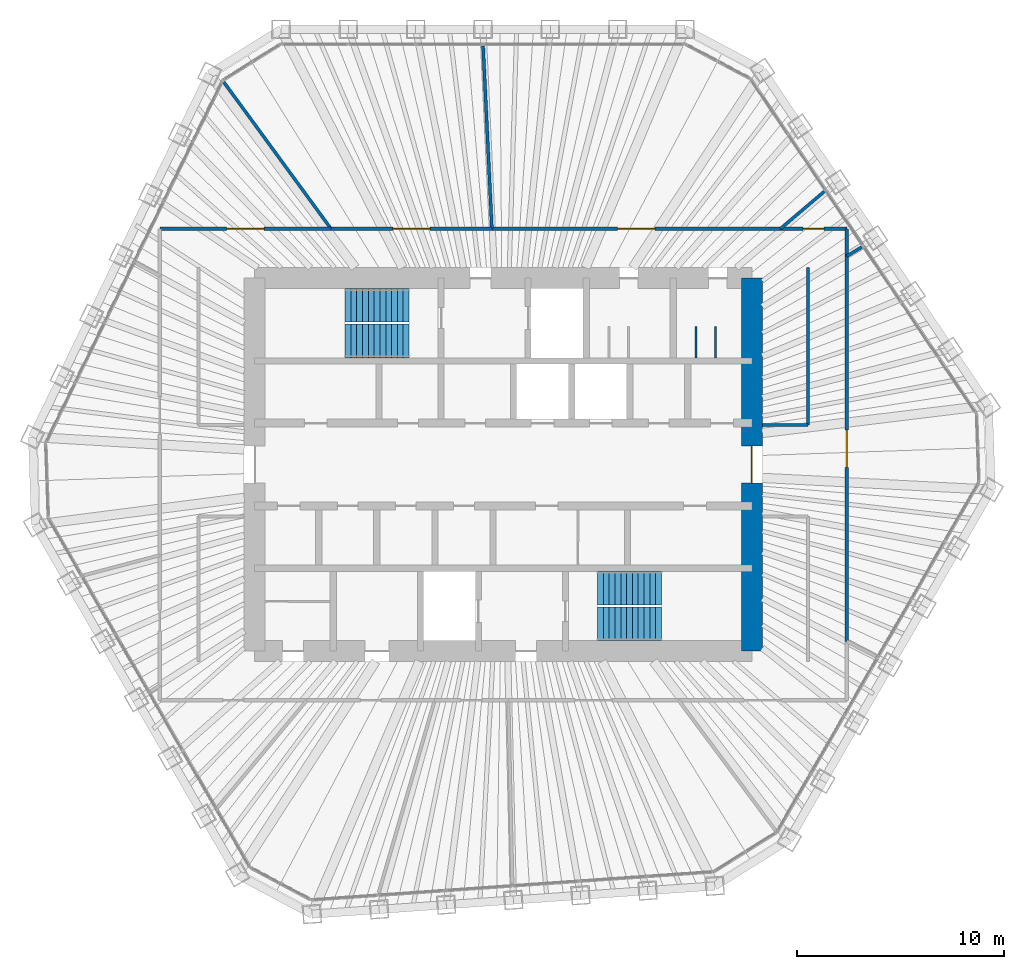
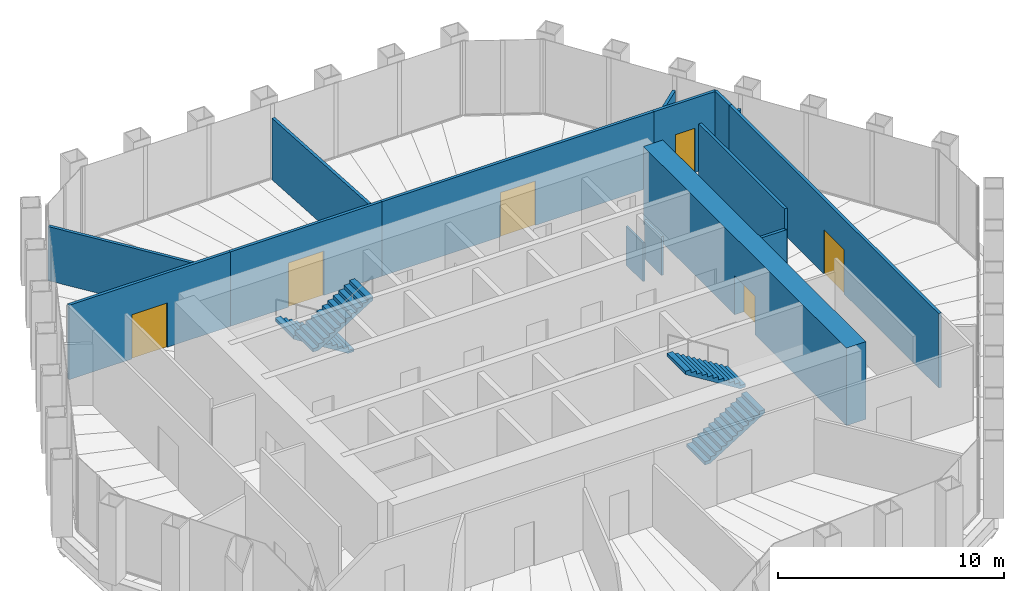
# One storey, part 13 of 14: 15 walls, 6 doors, 4 stair flights, 6 openings, 2 elements without a shape of their own.
"""IFC4 building model written with IfcOpenShell, lengths in metres."""

from ifc_helpers import new_model, si_unit, direction, frame, frame_2d, origin, place, context, subcontext, project, spatial, polyline, rectangle, outline, extrude, material, layer, layer_set, type_object, element, fill, aggregate, save


model = new_model("IFC4")

# Units and contexts
model_context = context("Model", 3, precision=1e-05, world=origin(), true_north=direction((0.0, 1.0)))
body_context = subcontext(model_context, "Body", "Model", "MODEL_VIEW")
ifc_project = project(units=[si_unit("LENGTHUNIT", "METRE"), si_unit("AREAUNIT", "SQUARE_METRE"), si_unit("VOLUMEUNIT", "CUBIC_METRE"), si_unit("PLANEANGLEUNIT", "RADIAN"), si_unit("MASSUNIT", "GRAM", prefix="KILO")], contexts=[model_context])

# Site, building, storey
site_placement = place(None, origin())
site = spatial("IfcSite", under=ifc_project, at=site_placement, CompositionType="ELEMENT")
building_placement = place(site_placement, origin())
building = spatial("IfcBuilding", under=site, at=building_placement, Name="Qingtian Harvest Tower", CompositionType="ELEMENT")
storey_placement = place(building_placement, frame((0.0, 0.0, 291.39990234375)))
storey = spatial("IfcBuildingStorey", under=building, at=storey_placement, Name="L64", CompositionType="ELEMENT", Elevation=291.39990234375)

# Wall, opening, door
ifc_material_1 = material(Name="Concrete fc' 70 MPa", Category="concrete")
ifc_layer_1 = layer(ifc_material_1, 1.0)
ifc_layer_set_1 = layer_set([ifc_layer_1], Name="Core wall RC3 1000")
wall_type_1 = type_object("IfcWallType", Name="Core wall RC3 1000", PredefinedType="SHEAR", material=ifc_layer_set_1)
wall_1_placement = place(storey_placement, frame((12.0, -9.0, 0.0), z_axis=(0.0, 0.0, 1.0), x_axis=(0.0, 1.0, 0.0)))
wall_1 = element("IfcWall", 1, at=wall_1_placement, inside=storey, type_object=wall_type_1, Name="Core wall CE L64", PredefinedType="SHEAR", context=body_context, shape_type="SweptSolid", body=[
    extrude(rectangle(XDim=18.0, YDim=1.0, at=frame_2d((9.0, 0.0))), origin(), (0.0, 0.0, 1.0), 4.2001953125),
])
opening_1_placement = place(wall_1_placement, frame((8.10009765625, 0.0, 0.0)))
opening_1 = element("IfcOpeningElement", 2, at=opening_1_placement, cuts=wall_1, Name="Opening FD2", PredefinedType="OPENING", context=body_context, shape_type="SweptSolid", body=[
    extrude(rectangle(XDim=1.800048828125, YDim=2.10009765625, at=frame_2d((0.89990234375, 1.050048828125))), frame((0.0, 0.510009765625, 0.0), z_axis=(0.0, -1.0, 0.0), x_axis=(1.0, 0.0, 0.0)), (0.0, 0.0, 1.0), 1.02001953125),
])
ifc_material_2 = material(Name="Steel-faced door leaf", Category="steel")
door_type_1 = type_object("IfcDoorType", Name="Fire door FD2 double 1 HR", OperationType="DOUBLE_DOOR_DOUBLE_SWING", PredefinedType="DOOR", material=ifc_material_2)
door_1_placement = place(opening_1_placement, origin())
door_1 = element("IfcDoor", 3, at=door_1_placement, inside=storey, type_object=door_type_1, Name="LOBBY-E door L64", OperationType="DOUBLE_DOOR_DOUBLE_SWING", OverallHeight=2.10009765625, OverallWidth=1.800048828125, PredefinedType="DOOR", context=body_context, shape_type="SweptSolid", body=[
    extrude(rectangle(XDim=1.800048828125, YDim=2.10009765625, at=frame_2d((0.89990234375, 1.050048828125))), frame((0.0, 0.02490234375, 0.0), z_axis=(0.0, -1.0, 0.0), x_axis=(1.0, 0.0, 0.0)), (0.0, 0.0, 1.0), 0.050048828125),
])
fill(opening_1, door_1)

ifc_material_3 = material(Name="Gypsum board on steel studs", Category="steel")
ifc_layer_2 = layer(ifc_material_3, 0.14990234375)
ifc_layer_set_2 = layer_set([ifc_layer_2], Name="Partition PT1 150")
wall_type_2 = type_object("IfcWallType", Name="Partition PT1 150", PredefinedType="PARTITIONING", material=ifc_layer_set_2)
wall_2_placement = place(storey_placement, frame((-16.574951171875, 11.375, 0.0), z_axis=(0.0, 0.0, 1.0), x_axis=(1.0, 0.0, 0.0)))
wall_2 = element("IfcWall", 4, at=wall_2_placement, inside=storey, type_object=wall_type_2, Name="Workplace zone wall L64", PredefinedType="PARTITIONING", context=body_context, shape_type="SweptSolid", body=[
    extrude(rectangle(XDim=8.2626953125, YDim=0.14990234375, at=frame_2d((4.13134765625, 0.0))), origin(), (0.0, 0.0, 1.0), 4.030029296875),
])
opening_2_placement = place(wall_2_placement, frame((3.2314453125, 0.0, 0.0)))
opening_2 = element("IfcOpeningElement", 5, at=opening_2_placement, cuts=wall_2, Name="Opening D3", PredefinedType="OPENING", context=body_context, shape_type="SweptSolid", body=[
    extrude(rectangle(XDim=1.800048828125, YDim=2.39990234375, at=frame_2d((0.89990234375, 1.199951171875))), frame((0.0, 0.0849609375, 0.0), z_axis=(0.0, -1.0, 0.0), x_axis=(1.0, 0.0, 0.0)), (0.0, 0.0, 1.0), 0.169921875),
])
ifc_material_4 = material(Name="Laminated timber door leaf", Category="wood")
door_type_2 = type_object("IfcDoorType", Name="Room door D3 double", OperationType="DOUBLE_DOOR_DOUBLE_SWING", PredefinedType="DOOR", material=ifc_material_4)
door_2_placement = place(opening_2_placement, origin())
door_2 = element("IfcDoor", 6, at=door_2_placement, inside=storey, type_object=door_type_2, Name="Workplace zone door L64", OperationType="DOUBLE_DOOR_DOUBLE_SWING", OverallHeight=2.39990234375, OverallWidth=1.800048828125, PredefinedType="DOOR", context=body_context, shape_type="SweptSolid", body=[
    extrude(rectangle(XDim=1.800048828125, YDim=2.39990234375, at=frame_2d((0.89990234375, 1.199951171875))), frame((0.0, 0.02490234375, 0.0), z_axis=(0.0, -1.0, 0.0), x_axis=(1.0, 0.0, 0.0)), (0.0, 0.0, 1.0), 0.050048828125),
])
fill(opening_2, door_2)

# Wall
wall_3_placement = place(storey_placement, frame((-13.486083984375, 18.455322265625, 0.0), z_axis=(0.0, 0.0, 1.0), x_axis=(0.589997742419, -0.807404894672, 0.0)))
element("IfcWall", 7, at=wall_3_placement, inside=storey, type_object=wall_type_2, Name="Meeting room wall L64", PredefinedType="PARTITIONING", context=body_context, shape_type="SweptSolid", body=[
    extrude(rectangle(XDim=8.769287109375, YDim=0.14990234375, at=frame_2d((4.384765625, 0.0))), origin(), (0.0, 0.0, 1.0), 2.93017578125),
])

# Wall, opening, door
wall_4_placement = place(storey_placement, frame((-8.312255859375, 11.375, 0.0), z_axis=(0.0, 0.0, 1.0), x_axis=(1.0, 0.0, 0.0)))
wall_4 = element("IfcWall", 8, at=wall_4_placement, inside=storey, type_object=wall_type_2, Name="Meeting room wall L64", PredefinedType="PARTITIONING", context=body_context, shape_type="SweptSolid", body=[
    extrude(rectangle(XDim=7.76416015625, YDim=0.14990234375, at=frame_2d((3.882080078125, 0.0))), origin(), (0.0, 0.0, 1.0), 4.030029296875),
])
opening_3_placement = place(wall_4_placement, frame((2.982177734375, 0.0, 0.0)))
opening_3 = element("IfcOpeningElement", 9, at=opening_3_placement, cuts=wall_4, Name="Opening D3", PredefinedType="OPENING", context=body_context, shape_type="SweptSolid", body=[
    extrude(rectangle(XDim=1.800048828125, YDim=2.39990234375, at=frame_2d((0.89990234375, 1.199951171875))), frame((0.0, 0.0849609375, 0.0), z_axis=(0.0, -1.0, 0.0), x_axis=(1.0, 0.0, 0.0)), (0.0, 0.0, 1.0), 0.169921875),
])
door_3_placement = place(opening_3_placement, origin())
door_3 = element("IfcDoor", 10, at=door_3_placement, inside=storey, type_object=door_type_2, Name="Meeting room door L64", OperationType="DOUBLE_DOOR_DOUBLE_SWING", OverallHeight=2.39990234375, OverallWidth=1.800048828125, PredefinedType="DOOR", context=body_context, shape_type="SweptSolid", body=[
    extrude(rectangle(XDim=1.800048828125, YDim=2.39990234375, at=frame_2d((0.89990234375, 1.199951171875))), frame((0.0, 0.02490234375, 0.0), z_axis=(0.0, -1.0, 0.0), x_axis=(1.0, 0.0, 0.0)), (0.0, 0.0, 1.0), 0.050048828125),
])
fill(opening_3, door_3)

# Wall
wall_5_placement = place(storey_placement, frame((-0.973388671875, 20.2001953125, 0.0), z_axis=(0.0, 0.0, 1.0), x_axis=(0.048134910622, -0.998840843368, 0.0)))
element("IfcWall", 11, at=wall_5_placement, inside=storey, type_object=wall_type_2, Name="Workplace zone wall L64", PredefinedType="PARTITIONING", context=body_context, shape_type="SweptSolid", body=[
    extrude(rectangle(XDim=8.83544921875, YDim=0.14990234375, at=frame_2d((4.417724609375, 0.0))), origin(), (0.0, 0.0, 1.0), 3.330078125),
])

# Wall, opening, door
wall_6_placement = place(storey_placement, frame((-0.548095703125, 11.375, 0.0), z_axis=(0.0, 0.0, 1.0), x_axis=(1.0, 0.0, 0.0)))
wall_6 = element("IfcWall", 12, at=wall_6_placement, inside=storey, type_object=wall_type_2, Name="Workplace zone wall L64", PredefinedType="PARTITIONING", context=body_context, shape_type="SweptSolid", body=[
    extrude(rectangle(XDim=13.923095703125, YDim=0.14990234375, at=frame_2d((6.96142578125, 0.0))), origin(), (0.0, 0.0, 1.0), 4.030029296875),
])
opening_4_placement = place(wall_6_placement, frame((6.0615234375, 0.0, 0.0)))
opening_4 = element("IfcOpeningElement", 13, at=opening_4_placement, cuts=wall_6, Name="Opening D3", PredefinedType="OPENING", context=body_context, shape_type="SweptSolid", body=[
    extrude(rectangle(XDim=1.800048828125, YDim=2.39990234375, at=frame_2d((0.89990234375, 1.199951171875))), frame((0.0, 0.0849609375, 0.0), z_axis=(0.0, -1.0, 0.0), x_axis=(1.0, 0.0, 0.0)), (0.0, 0.0, 1.0), 0.169921875),
])
door_4_placement = place(opening_4_placement, origin())
door_4 = element("IfcDoor", 14, at=door_4_placement, inside=storey, type_object=door_type_2, Name="Workplace zone door L64", OperationType="DOUBLE_DOOR_DOUBLE_SWING", OverallHeight=2.39990234375, OverallWidth=1.800048828125, PredefinedType="DOOR", context=body_context, shape_type="SweptSolid", body=[
    extrude(rectangle(XDim=1.800048828125, YDim=2.39990234375, at=frame_2d((0.89990234375, 1.199951171875))), frame((0.0, 0.02490234375, 0.0), z_axis=(0.0, -1.0, 0.0), x_axis=(1.0, 0.0, 0.0)), (0.0, 0.0, 1.0), 0.050048828125),
])
fill(opening_4, door_4)

# Wall
wall_7_placement = place(storey_placement, frame((15.48388671875, 13.168701171875, 0.0), z_axis=(0.0, 0.0, 1.0), x_axis=(-0.761734753955, -0.647889006403, 0.0)))
element("IfcWall", 15, at=wall_7_placement, inside=storey, type_object=wall_type_2, Name="Store room wall L64", PredefinedType="PARTITIONING", context=body_context, shape_type="SweptSolid", body=[
    extrude(rectangle(XDim=2.7685546875, YDim=0.14990234375, at=frame_2d((1.38427734375, 0.0))), origin(), (0.0, 0.0, 1.0), 3.330078125),
])

# Wall, opening, door
wall_8_placement = place(storey_placement, frame((13.375, 11.375, 0.0), z_axis=(0.0, 0.0, 1.0), x_axis=(1.0, 0.0, 0.0)))
wall_8 = element("IfcWall", 16, at=wall_8_placement, inside=storey, type_object=wall_type_2, Name="Store room wall L64", PredefinedType="PARTITIONING", context=body_context, shape_type="SweptSolid", body=[
    extrude(rectangle(XDim=3.199951171875, YDim=0.14990234375, at=frame_2d((1.60009765625, 0.0))), origin(), (0.0, 0.0, 1.0), 4.030029296875),
])
opening_5_placement = place(wall_8_placement, frame((1.10009765625, 0.0, 0.0)))
opening_5 = element("IfcOpeningElement", 17, at=opening_5_placement, cuts=wall_8, Name="Opening D2", PredefinedType="OPENING", context=body_context, shape_type="SweptSolid", body=[
    extrude(rectangle(XDim=1.0, YDim=2.39990234375, at=frame_2d((0.5, 1.199951171875))), frame((0.0, 0.0849609375, 0.0), z_axis=(0.0, -1.0, 0.0), x_axis=(1.0, 0.0, 0.0)), (0.0, 0.0, 1.0), 0.169921875),
])
ifc_material_5 = material(Name="Laminated timber door leaf", Category="wood")
door_type_3 = type_object("IfcDoorType", Name="Room door D2 single", OperationType="SINGLE_SWING_LEFT", PredefinedType="DOOR", material=ifc_material_5)
door_5_placement = place(opening_5_placement, origin())
door_5 = element("IfcDoor", 18, at=door_5_placement, inside=storey, type_object=door_type_3, Name="Store room door L64", OperationType="SINGLE_SWING_LEFT", OverallHeight=2.39990234375, OverallWidth=1.0, PredefinedType="DOOR", context=body_context, shape_type="SweptSolid", body=[
    extrude(rectangle(XDim=1.0, YDim=2.39990234375, at=frame_2d((0.5, 1.199951171875))), frame((0.0, 0.02490234375, 0.0), z_axis=(0.0, -1.0, 0.0), x_axis=(1.0, 0.0, 0.0)), (0.0, 0.0, 1.0), 0.050048828125),
])
fill(opening_5, door_5)

# Walls
wall_9_placement = place(storey_placement, frame((16.574951171875, 11.375, 0.0), z_axis=(0.0, 0.0, 1.0), x_axis=(0.0, -1.0, 0.0)))
element("IfcWall", 19, at=wall_9_placement, inside=storey, type_object=wall_type_2, Name="Store room wall L64", PredefinedType="PARTITIONING", context=body_context, shape_type="SweptSolid", body=[
    extrude(rectangle(XDim=1.320556640625, YDim=0.14990234375, at=frame_2d((0.66015625, 0.0))), origin(), (0.0, 0.0, 1.0), 4.030029296875),
])
wall_10_placement = place(storey_placement, frame((17.291015625, 10.48876953125, 0.0), z_axis=(0.0, 0.0, 1.0), x_axis=(-0.855013745288, -0.518605336811, 0.0)))
element("IfcWall", 20, at=wall_10_placement, inside=storey, type_object=wall_type_2, Name="Workplace zone wall L64", PredefinedType="PARTITIONING", context=body_context, shape_type="SweptSolid", body=[
    extrude(rectangle(XDim=0.83740234375, YDim=0.14990234375, at=frame_2d((0.418701171875, 0.0))), origin(), (0.0, 0.0, 1.0), 3.330078125),
])

# Wall, opening, door
wall_11_placement = place(storey_placement, frame((16.574951171875, 10.054443359375, 0.0), z_axis=(0.0, 0.0, 1.0), x_axis=(0.0, -1.0, 0.0)))
wall_11 = element("IfcWall", 21, at=wall_11_placement, inside=storey, type_object=wall_type_2, Name="Workplace zone wall L64", PredefinedType="PARTITIONING", context=body_context, shape_type="SweptSolid", body=[
    extrude(rectangle(XDim=18.587890625, YDim=0.14990234375, at=frame_2d((9.2939453125, 0.0))), origin(), (0.0, 0.0, 1.0), 4.030029296875),
])
opening_6_placement = place(wall_11_placement, frame((8.39404296875, 0.0, 0.0)))
opening_6 = element("IfcOpeningElement", 22, at=opening_6_placement, cuts=wall_11, Name="Opening D3", PredefinedType="OPENING", context=body_context, shape_type="SweptSolid", body=[
    extrude(rectangle(XDim=1.800048828125, YDim=2.39990234375, at=frame_2d((0.89990234375, 1.199951171875))), frame((0.0, 0.0849609375, 0.0), z_axis=(0.0, -1.0, 0.0), x_axis=(1.0, 0.0, 0.0)), (0.0, 0.0, 1.0), 0.169921875),
])
door_6_placement = place(opening_6_placement, origin())
door_6 = element("IfcDoor", 23, at=door_6_placement, inside=storey, type_object=door_type_2, Name="Workplace zone door L64", OperationType="DOUBLE_DOOR_DOUBLE_SWING", OverallHeight=2.39990234375, OverallWidth=1.800048828125, PredefinedType="DOOR", context=body_context, shape_type="SweptSolid", body=[
    extrude(rectangle(XDim=1.800048828125, YDim=2.39990234375, at=frame_2d((0.89990234375, 1.199951171875))), frame((0.0, 0.02490234375, 0.0), z_axis=(0.0, -1.0, 0.0), x_axis=(1.0, 0.0, 0.0)), (0.0, 0.0, 1.0), 0.050048828125),
])
fill(opening_6, door_6)

# Walls
wall_12_placement = place(storey_placement, frame((14.699951171875, 1.89990234375, 0.0), z_axis=(0.0, 0.0, 1.0), x_axis=(0.0, 1.0, 0.0)))
element("IfcWall", 24, at=wall_12_placement, inside=storey, type_object=wall_type_2, Name="Coffee point wall L64", PredefinedType="PARTITIONING", context=body_context, shape_type="SweptSolid", body=[
    extrude(rectangle(XDim=7.60009765625, YDim=0.14990234375, at=frame_2d((3.800048828125, 0.0))), origin(), (0.0, 0.0, 1.0), 4.030029296875),
])
wall_13_placement = place(storey_placement, frame((12.5, 1.89990234375, 0.0), z_axis=(0.0, 0.0, 1.0), x_axis=(1.0, 0.0, 0.0)))
element("IfcWall", 25, at=wall_13_placement, inside=storey, type_object=wall_type_2, Name="Coffee point wall L64", PredefinedType="PARTITIONING", context=body_context, shape_type="SweptSolid", body=[
    extrude(rectangle(XDim=2.199951171875, YDim=0.14990234375, at=frame_2d((1.10009765625, 0.0))), origin(), (0.0, 0.0, 1.0), 2.93017578125),
])
ifc_material_6 = material(Name="Compact laminate cubicle partition", Category="plastic")
ifc_layer_3 = layer(ifc_material_6, 0.10009765625)
ifc_layer_set_3 = layer_set([ifc_layer_3], Name="WC cubicle partition WP1 100")
wall_type_3 = type_object("IfcWallType", Name="WC cubicle partition WP1 100", PredefinedType="PARTITIONING", material=ifc_layer_set_3)
for number, where, z_axis, x_axis, name in (
    (26, (9.300048828125, 5.14990234375, 0.0), (0.0, 0.0, 1.0), (0.0, 1.0, 0.0), "WC cubicle partition WCF L64"),
    (27, (10.25, 5.14990234375, 0.0), (0.0, 0.0, 1.0), (0.0, 1.0, 0.0), "WC cubicle partition WCF L64"),
):
    element("IfcWall", number, at=place(storey_placement, frame(where, z_axis=z_axis, x_axis=x_axis)), inside=storey, type_object=wall_type_3, Name=name, PredefinedType="PARTITIONING", context=body_context, shape_type="SweptSolid", body=[
        extrude(rectangle(XDim=1.5, YDim=0.10009765625, at=frame_2d((0.75, 0.0))), origin(), (0.0, 0.0, 1.0), 2.10009765625),
    ])

# Stair, stair flights
ifc_material_7 = material(Name="Concrete fc' 35 MPa", Category="concrete")
stair_type = type_object("IfcStairType", Name="Special stair ST6 4200", PredefinedType="HALF_TURN_STAIR", material=ifc_material_7)
stair_1_placement = place(storey_placement, origin())
stair_1 = element("IfcStair", 28, at=stair_1_placement, inside=storey, type_object=stair_type, Name="Special stair S1 L64", PredefinedType="HALF_TURN_STAIR")
ifc_material_8 = material(Name="Concrete fc' 35 MPa", Category="concrete")
stair_flight_type = type_object("IfcStairFlightType", Name="Stair flight SF6 4200", PredefinedType="STRAIGHT", material=ifc_material_8)
stair_flight_1_placement = place(storey_placement, frame((-4.550048828125, 7.6875, 0.0), z_axis=(0.0, 0.0, 1.0), x_axis=(-1.0, 0.0, 0.0)))
stair_flight_1 = element("IfcStairFlight", 29, at=stair_flight_1_placement, type_object=stair_flight_type, Name="S1 flight 1", NumberOfRisers=12, NumberOfTreads=11, PredefinedType="STRAIGHT", RiserHeight=0.175, TreadLength=0.28, context=body_context, shape_type="SweptSolid", body=[
    extrude(outline(polyline([(0.0, 0.0), (0.0, 0.175048828125), (0.280029296875, 0.175048828125), (0.280029296875, 0.35009765625), (0.56005859375, 0.35009765625), (0.56005859375, 0.52490234375), (0.840087890625, 0.52490234375), (0.840087890625, 0.699951171875), (1.1201171875, 0.699951171875), (1.1201171875, 0.875), (1.39990234375, 0.875), (1.39990234375, 1.050048828125), (1.679931640625, 1.050048828125), (1.679931640625, 1.22509765625), (1.9599609375, 1.22509765625), (1.9599609375, 1.39990234375), (2.239990234375, 1.39990234375), (2.239990234375, 1.574951171875), (2.52001953125, 1.574951171875), (2.52001953125, 1.75), (2.800048828125, 1.75), (2.800048828125, 1.925048828125), (3.080078125, 1.925048828125), (3.080078125, 2.10009765625), (3.080078125, 1.748291015625), (0.28271484375, 0.0), (0.0, 0.0)])), frame((0.0, 0.8125, 0.0), z_axis=(0.0, -1.0, 0.0), x_axis=(1.0, 0.0, 0.0)), (0.0, 0.0, 1.0), 1.625),
])
stair_flight_2_placement = place(storey_placement, frame((-7.6298828125, 5.96240234375, 2.10009765625), z_axis=(0.0, 0.0, 1.0), x_axis=(1.0, 0.0, 0.0)))
stair_flight_2 = element("IfcStairFlight", 30, at=stair_flight_2_placement, type_object=stair_flight_type, Name="S1 flight 2", NumberOfRisers=12, NumberOfTreads=11, PredefinedType="STRAIGHT", RiserHeight=0.175, TreadLength=0.28, context=body_context, shape_type="SweptSolid", body=[
    extrude(outline(polyline([(0.0, 0.0), (0.0, 0.175048828125), (0.280029296875, 0.175048828125), (0.280029296875, 0.35009765625), (0.56005859375, 0.35009765625), (0.56005859375, 0.52490234375), (0.840087890625, 0.52490234375), (0.840087890625, 0.699951171875), (1.1201171875, 0.699951171875), (1.1201171875, 0.875), (1.39990234375, 0.875), (1.39990234375, 1.050048828125), (1.679931640625, 1.050048828125), (1.679931640625, 1.22509765625), (1.9599609375, 1.22509765625), (1.9599609375, 1.39990234375), (2.239990234375, 1.39990234375), (2.239990234375, 1.574951171875), (2.52001953125, 1.574951171875), (2.52001953125, 1.75), (2.800048828125, 1.75), (2.800048828125, 1.925048828125), (3.080078125, 1.925048828125), (3.080078125, 2.10009765625), (3.080078125, 1.748291015625), (0.28271484375, 0.0), (0.0, 0.0)])), frame((0.0, 0.8125, 0.0), z_axis=(0.0, -1.0, 0.0), x_axis=(1.0, 0.0, 0.0)), (0.0, 0.0, 1.0), 1.625),
])
aggregate(stair_1, [stair_flight_1, stair_flight_2])

stair_2_placement = place(storey_placement, origin())
stair_2 = element("IfcStair", 31, at=stair_2_placement, inside=storey, type_object=stair_type, Name="Special stair S2 L64", PredefinedType="HALF_TURN_STAIR")
stair_flight_3_placement = place(storey_placement, frame((4.550048828125, -7.6875, 0.0), z_axis=(0.0, 0.0, 1.0), x_axis=(1.0, 0.0, 0.0)))
stair_flight_3 = element("IfcStairFlight", 32, at=stair_flight_3_placement, type_object=stair_flight_type, Name="S2 flight 1", NumberOfRisers=12, NumberOfTreads=11, PredefinedType="STRAIGHT", RiserHeight=0.175, TreadLength=0.28, context=body_context, shape_type="SweptSolid", body=[
    extrude(outline(polyline([(0.0, 0.0), (0.0, 0.175048828125), (0.280029296875, 0.175048828125), (0.280029296875, 0.35009765625), (0.56005859375, 0.35009765625), (0.56005859375, 0.52490234375), (0.840087890625, 0.52490234375), (0.840087890625, 0.699951171875), (1.1201171875, 0.699951171875), (1.1201171875, 0.875), (1.39990234375, 0.875), (1.39990234375, 1.050048828125), (1.679931640625, 1.050048828125), (1.679931640625, 1.22509765625), (1.9599609375, 1.22509765625), (1.9599609375, 1.39990234375), (2.239990234375, 1.39990234375), (2.239990234375, 1.574951171875), (2.52001953125, 1.574951171875), (2.52001953125, 1.75), (2.800048828125, 1.75), (2.800048828125, 1.925048828125), (3.080078125, 1.925048828125), (3.080078125, 2.10009765625), (3.080078125, 1.748291015625), (0.28271484375, 0.0), (0.0, 0.0)])), frame((0.0, 0.8125, 0.0), z_axis=(0.0, -1.0, 0.0), x_axis=(1.0, 0.0, 0.0)), (0.0, 0.0, 1.0), 1.625),
])
stair_flight_4_placement = place(storey_placement, frame((7.6298828125, -5.96240234375, 2.10009765625), z_axis=(0.0, 0.0, 1.0), x_axis=(-1.0, 0.0, 0.0)))
stair_flight_4 = element("IfcStairFlight", 33, at=stair_flight_4_placement, type_object=stair_flight_type, Name="S2 flight 2", NumberOfRisers=12, NumberOfTreads=11, PredefinedType="STRAIGHT", RiserHeight=0.175, TreadLength=0.28, context=body_context, shape_type="SweptSolid", body=[
    extrude(outline(polyline([(0.0, 0.0), (0.0, 0.175048828125), (0.280029296875, 0.175048828125), (0.280029296875, 0.35009765625), (0.56005859375, 0.35009765625), (0.56005859375, 0.52490234375), (0.840087890625, 0.52490234375), (0.840087890625, 0.699951171875), (1.1201171875, 0.699951171875), (1.1201171875, 0.875), (1.39990234375, 0.875), (1.39990234375, 1.050048828125), (1.679931640625, 1.050048828125), (1.679931640625, 1.22509765625), (1.9599609375, 1.22509765625), (1.9599609375, 1.39990234375), (2.239990234375, 1.39990234375), (2.239990234375, 1.574951171875), (2.52001953125, 1.574951171875), (2.52001953125, 1.75), (2.800048828125, 1.75), (2.800048828125, 1.925048828125), (3.080078125, 1.925048828125), (3.080078125, 2.10009765625), (3.080078125, 1.748291015625), (0.28271484375, 0.0), (0.0, 0.0)])), frame((0.0, 0.8125, 0.0), z_axis=(0.0, -1.0, 0.0), x_axis=(1.0, 0.0, 0.0)), (0.0, 0.0, 1.0), 1.625),
])
aggregate(stair_2, [stair_flight_3, stair_flight_4])

save(model, "model.ifc")
